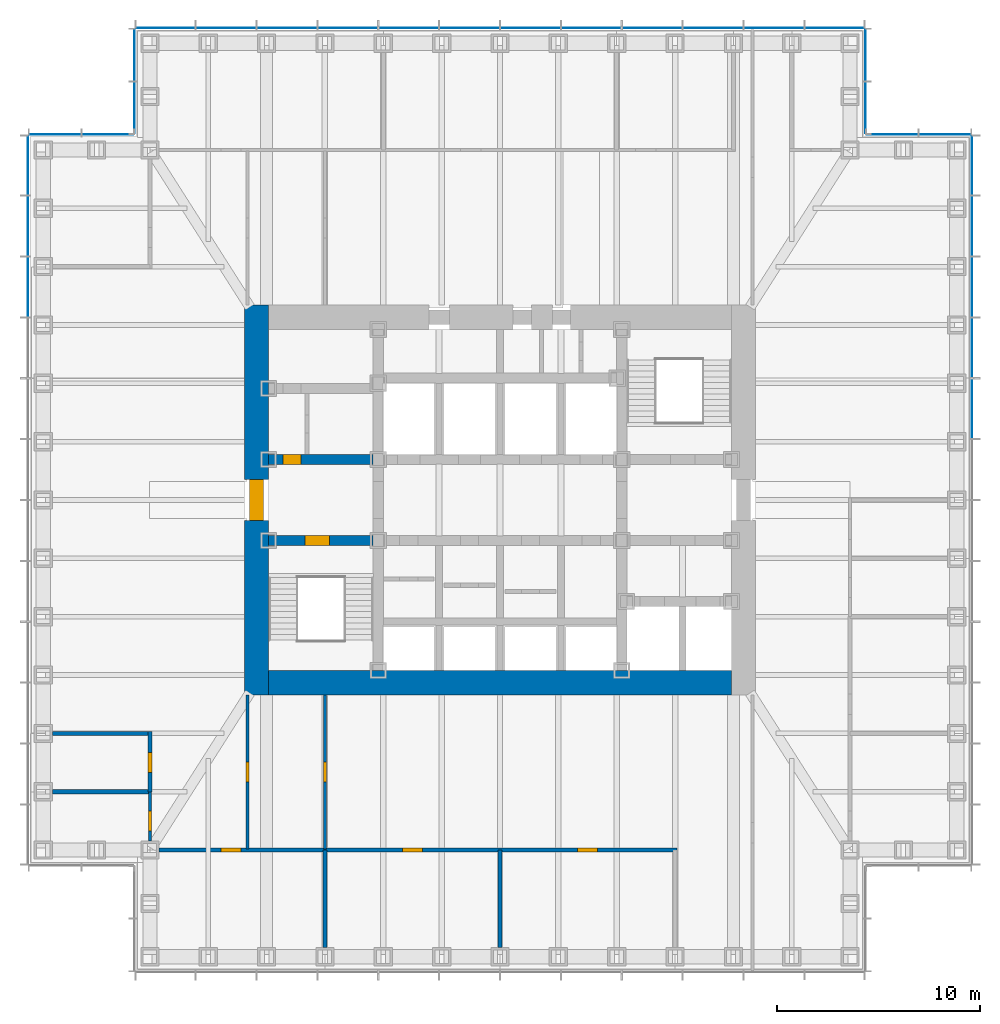
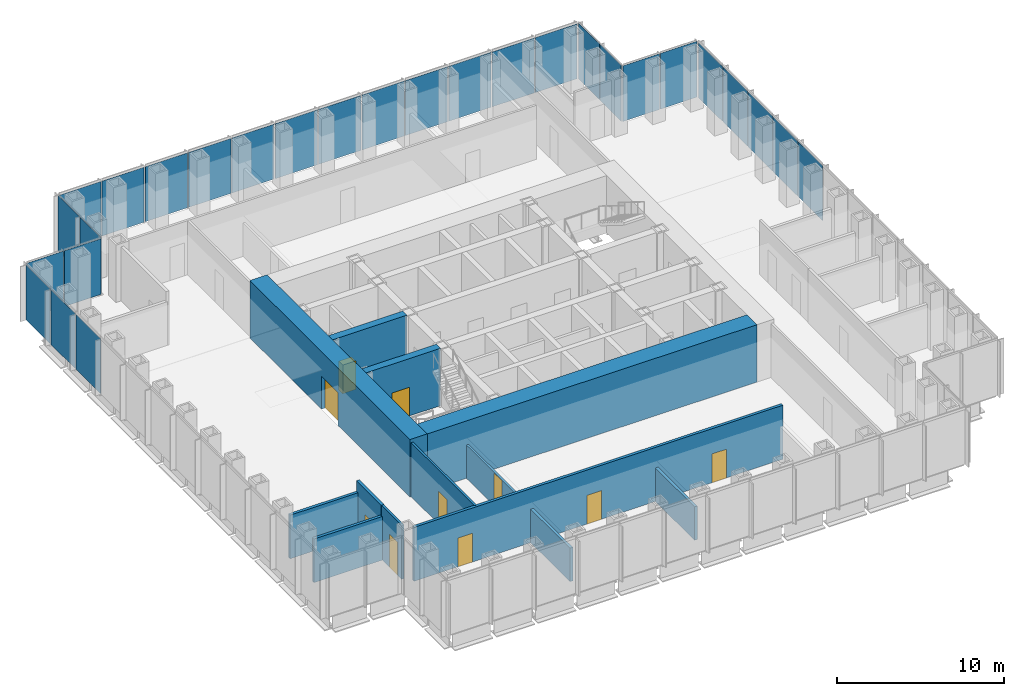
# One storey, part 8 of 17: 28 plates, 13 walls, 10 doors, 10 openings, 7 elements without a shape of their own.
"""IFC4 building model written with IfcOpenShell, lengths in metres."""

from ifc_helpers import new_model, si_unit, direction, frame, frame_2d, origin, origin_2d, place, context, subcontext, project, spatial, rectangle, extrude, material, layer, layer_set, type_object, element, fill, aggregate, save


model = new_model("IFC4")

# Units and contexts
model_context = context("Model", 3, precision=1e-05, world=origin(), true_north=direction((0.0, 1.0)))
body_context = subcontext(model_context, "Body", "Model", "MODEL_VIEW")
ifc_project = project(units=[si_unit("LENGTHUNIT", "METRE"), si_unit("AREAUNIT", "SQUARE_METRE"), si_unit("VOLUMEUNIT", "CUBIC_METRE"), si_unit("PLANEANGLEUNIT", "RADIAN"), si_unit("MASSUNIT", "GRAM", prefix="KILO")], contexts=[model_context])

# Site, building, storey
site_placement = place(None, origin())
site = spatial("IfcSite", under=ifc_project, at=site_placement, CompositionType="ELEMENT")
building_placement = place(site_placement, origin())
building = spatial("IfcBuilding", under=site, at=building_placement, Name="Daluyong Arena Tower", CompositionType="ELEMENT")
storey_placement = place(building_placement, frame((0.0, 0.0, 171.10009765625)))
storey = spatial("IfcBuildingStorey", under=building, at=storey_placement, Name="L38", CompositionType="ELEMENT", Elevation=171.10009765625)

# Curtain wall, plates
ifc_material_1 = material(Name="Bronze anodised aluminium and glass", Category="aluminium")
curtain_wall_type_1 = type_object("IfcCurtainWallType", Name="Curtain wall CW2", PredefinedType="USERDEFINED", material=ifc_material_1)
curtain_wall_1_placement = place(storey_placement, origin())
curtain_wall_1 = element("IfcCurtainWall", 1, at=curtain_wall_1_placement, inside=storey, type_object=curtain_wall_type_1, Name="curtain wall L38 E", ObjectType="UNITISED CURTAIN WALL", PredefinedType="USERDEFINED")
ifc_material_2 = material(Name="Tinted double glazed unit", Category="glass")
ifc_layer_1 = layer(ifc_material_2, 0.031982421875)
ifc_layer_set_1 = layer_set([ifc_layer_1], Name="Tinted double glazed unit")
plate_type_1 = type_object("IfcPlateType", Name="CW2 panel 32", PredefinedType="CURTAIN_PANEL", material=ifc_layer_set_1)
plate_1_placement = place(storey_placement, frame((79.25, 84.5, 0.0), z_axis=(0.0, 0.0, 1.0), x_axis=(0.0, 1.0, 0.0)))
plate_1 = element("IfcPlate", 2, at=plate_1_placement, type_object=plate_type_1, Name="curtain wall L38 E panel 8", PredefinedType="CURTAIN_PANEL", context=body_context, shape_type="SweptSolid", body=[
    extrude(rectangle(XDim=2.919921875, YDim=0.031982421875, at=origin_2d()), origin(), (0.0, 0.0, 1.0), 4.02001953125),
])
plate_2_placement = place(storey_placement, frame((79.25, 87.5, 0.0), z_axis=(0.0, 0.0, 1.0), x_axis=(0.0, 1.0, 0.0)))
plate_2 = element("IfcPlate", 3, at=plate_2_placement, type_object=plate_type_1, Name="curtain wall L38 E panel 9", PredefinedType="CURTAIN_PANEL", context=body_context, shape_type="SweptSolid", body=[
    extrude(rectangle(XDim=2.919921875, YDim=0.031982421875, at=origin_2d()), origin(), (0.0, 0.0, 1.0), 4.02001953125),
])
plate_3_placement = place(storey_placement, frame((79.25, 90.5, 0.0), z_axis=(0.0, 0.0, 1.0), x_axis=(0.0, 1.0, 0.0)))
plate_3 = element("IfcPlate", 4, at=plate_3_placement, type_object=plate_type_1, Name="curtain wall L38 E panel 10", PredefinedType="CURTAIN_PANEL", context=body_context, shape_type="SweptSolid", body=[
    extrude(rectangle(XDim=2.919921875, YDim=0.031982421875, at=origin_2d()), origin(), (0.0, 0.0, 1.0), 4.02001953125),
])
plate_4_placement = place(storey_placement, frame((79.25, 93.5, 0.0), z_axis=(0.0, 0.0, 1.0), x_axis=(0.0, 1.0, 0.0)))
plate_4 = element("IfcPlate", 5, at=plate_4_placement, type_object=plate_type_1, Name="curtain wall L38 E panel 11", PredefinedType="CURTAIN_PANEL", context=body_context, shape_type="SweptSolid", body=[
    extrude(rectangle(XDim=2.919921875, YDim=0.031982421875, at=origin_2d()), origin(), (0.0, 0.0, 1.0), 4.02001953125),
])
plate_5_placement = place(storey_placement, frame((79.25, 96.47998046875, 0.0), z_axis=(0.0, 0.0, 1.0), x_axis=(0.0, 1.0, 0.0)))
plate_5 = element("IfcPlate", 6, at=plate_5_placement, type_object=plate_type_1, Name="curtain wall L38 E panel 12", PredefinedType="CURTAIN_PANEL", context=body_context, shape_type="SweptSolid", body=[
    extrude(rectangle(XDim=2.8798828125, YDim=0.031982421875, at=origin_2d()), origin(), (0.0, 0.0, 1.0), 4.02001953125),
])
aggregate(curtain_wall_1, [plate_1, plate_2, plate_3, plate_4, plate_5])

curtain_wall_2_placement = place(storey_placement, origin())
curtain_wall_2 = element("IfcCurtainWall", 7, at=curtain_wall_2_placement, inside=storey, type_object=curtain_wall_type_1, Name="curtain wall L38 N", ObjectType="UNITISED CURTAIN WALL", PredefinedType="USERDEFINED")
plate_6_placement = place(storey_placement, frame((72.47998046875, 103.25, 0.0), z_axis=(0.0, 0.0, 1.0), x_axis=(-1.0, 0.0, 0.0)))
plate_6 = element("IfcPlate", 8, at=plate_6_placement, type_object=plate_type_1, Name="curtain wall L38 N panel 1", PredefinedType="CURTAIN_PANEL", context=body_context, shape_type="SweptSolid", body=[
    extrude(rectangle(XDim=2.8798828125, YDim=0.031982421875, at=origin_2d()), origin(), (0.0, 0.0, 1.0), 4.02001953125),
])
plate_7_placement = place(storey_placement, frame((69.5, 103.25, 0.0), z_axis=(0.0, 0.0, 1.0), x_axis=(-1.0, 0.0, 0.0)))
plate_7 = element("IfcPlate", 9, at=plate_7_placement, type_object=plate_type_1, Name="curtain wall L38 N panel 2", PredefinedType="CURTAIN_PANEL", context=body_context, shape_type="SweptSolid", body=[
    extrude(rectangle(XDim=2.919921875, YDim=0.031982421875, at=origin_2d()), origin(), (0.0, 0.0, 1.0), 4.02001953125),
])
plate_8_placement = place(storey_placement, frame((66.5, 103.25, 0.0), z_axis=(0.0, 0.0, 1.0), x_axis=(-1.0, 0.0, 0.0)))
plate_8 = element("IfcPlate", 10, at=plate_8_placement, type_object=plate_type_1, Name="curtain wall L38 N panel 3", PredefinedType="CURTAIN_PANEL", context=body_context, shape_type="SweptSolid", body=[
    extrude(rectangle(XDim=2.919921875, YDim=0.031982421875, at=origin_2d()), origin(), (0.0, 0.0, 1.0), 4.02001953125),
])
plate_9_placement = place(storey_placement, frame((63.5, 103.25, 0.0), z_axis=(0.0, 0.0, 1.0), x_axis=(-1.0, 0.0, 0.0)))
plate_9 = element("IfcPlate", 11, at=plate_9_placement, type_object=plate_type_1, Name="curtain wall L38 N panel 4", PredefinedType="CURTAIN_PANEL", context=body_context, shape_type="SweptSolid", body=[
    extrude(rectangle(XDim=2.919921875, YDim=0.031982421875, at=origin_2d()), origin(), (0.0, 0.0, 1.0), 4.02001953125),
])
plate_10_placement = place(storey_placement, frame((60.5, 103.25, 0.0), z_axis=(0.0, 0.0, 1.0), x_axis=(-1.0, 0.0, 0.0)))
plate_10 = element("IfcPlate", 12, at=plate_10_placement, type_object=plate_type_1, Name="curtain wall L38 N panel 5", PredefinedType="CURTAIN_PANEL", context=body_context, shape_type="SweptSolid", body=[
    extrude(rectangle(XDim=2.919921875, YDim=0.031982421875, at=origin_2d()), origin(), (0.0, 0.0, 1.0), 4.02001953125),
])
plate_11_placement = place(storey_placement, frame((57.5, 103.25, 0.0), z_axis=(0.0, 0.0, 1.0), x_axis=(-1.0, 0.0, 0.0)))
plate_11 = element("IfcPlate", 13, at=plate_11_placement, type_object=plate_type_1, Name="curtain wall L38 N panel 6", PredefinedType="CURTAIN_PANEL", context=body_context, shape_type="SweptSolid", body=[
    extrude(rectangle(XDim=2.919921875, YDim=0.031982421875, at=origin_2d()), origin(), (0.0, 0.0, 1.0), 4.02001953125),
])
plate_12_placement = place(storey_placement, frame((54.5, 103.25, 0.0), z_axis=(0.0, 0.0, 1.0), x_axis=(-1.0, 0.0, 0.0)))
plate_12 = element("IfcPlate", 14, at=plate_12_placement, type_object=plate_type_1, Name="curtain wall L38 N panel 7", PredefinedType="CURTAIN_PANEL", context=body_context, shape_type="SweptSolid", body=[
    extrude(rectangle(XDim=2.919921875, YDim=0.031982421875, at=origin_2d()), origin(), (0.0, 0.0, 1.0), 4.02001953125),
])
plate_13_placement = place(storey_placement, frame((51.5, 103.25, 0.0), z_axis=(0.0, 0.0, 1.0), x_axis=(-1.0, 0.0, 0.0)))
plate_13 = element("IfcPlate", 15, at=plate_13_placement, type_object=plate_type_1, Name="curtain wall L38 N panel 8", PredefinedType="CURTAIN_PANEL", context=body_context, shape_type="SweptSolid", body=[
    extrude(rectangle(XDim=2.919921875, YDim=0.031982421875, at=origin_2d()), origin(), (0.0, 0.0, 1.0), 4.02001953125),
])
plate_14_placement = place(storey_placement, frame((48.5, 103.25, 0.0), z_axis=(0.0, 0.0, 1.0), x_axis=(-1.0, 0.0, 0.0)))
plate_14 = element("IfcPlate", 16, at=plate_14_placement, type_object=plate_type_1, Name="curtain wall L38 N panel 9", PredefinedType="CURTAIN_PANEL", context=body_context, shape_type="SweptSolid", body=[
    extrude(rectangle(XDim=2.919921875, YDim=0.031982421875, at=origin_2d()), origin(), (0.0, 0.0, 1.0), 4.02001953125),
])
plate_15_placement = place(storey_placement, frame((45.5, 103.25, 0.0), z_axis=(0.0, 0.0, 1.0), x_axis=(-1.0, 0.0, 0.0)))
plate_15 = element("IfcPlate", 17, at=plate_15_placement, type_object=plate_type_1, Name="curtain wall L38 N panel 10", PredefinedType="CURTAIN_PANEL", context=body_context, shape_type="SweptSolid", body=[
    extrude(rectangle(XDim=2.919921875, YDim=0.031982421875, at=origin_2d()), origin(), (0.0, 0.0, 1.0), 4.02001953125),
])
plate_16_placement = place(storey_placement, frame((42.5, 103.25, 0.0), z_axis=(0.0, 0.0, 1.0), x_axis=(-1.0, 0.0, 0.0)))
plate_16 = element("IfcPlate", 18, at=plate_16_placement, type_object=plate_type_1, Name="curtain wall L38 N panel 11", PredefinedType="CURTAIN_PANEL", context=body_context, shape_type="SweptSolid", body=[
    extrude(rectangle(XDim=2.919921875, YDim=0.031982421875, at=origin_2d()), origin(), (0.0, 0.0, 1.0), 4.02001953125),
])
plate_17_placement = place(storey_placement, frame((39.52001953125, 103.25, 0.0), z_axis=(0.0, 0.0, 1.0), x_axis=(-1.0, 0.0, 0.0)))
plate_17 = element("IfcPlate", 19, at=plate_17_placement, type_object=plate_type_1, Name="curtain wall L38 N panel 12", PredefinedType="CURTAIN_PANEL", context=body_context, shape_type="SweptSolid", body=[
    extrude(rectangle(XDim=2.8798828125, YDim=0.031982421875, at=origin_2d()), origin(), (0.0, 0.0, 1.0), 4.02001953125),
])
aggregate(curtain_wall_2, [plate_6, plate_7, plate_8, plate_9, plate_10, plate_11, plate_12, plate_13, plate_14, plate_15, plate_16, plate_17])

curtain_wall_3_placement = place(storey_placement, origin())
curtain_wall_3 = element("IfcCurtainWall", 20, at=curtain_wall_3_placement, inside=storey, type_object=curtain_wall_type_1, Name="curtain wall L38 W", ObjectType="UNITISED CURTAIN WALL", PredefinedType="USERDEFINED")
plate_18_placement = place(storey_placement, frame((32.75, 96.47998046875, 0.0), z_axis=(0.0, 0.0, 1.0), x_axis=(0.0, -1.0, 0.0)))
plate_18 = element("IfcPlate", 21, at=plate_18_placement, type_object=plate_type_1, Name="curtain wall L38 W panel 1", PredefinedType="CURTAIN_PANEL", context=body_context, shape_type="SweptSolid", body=[
    extrude(rectangle(XDim=2.8798828125, YDim=0.031982421875, at=origin_2d()), origin(), (0.0, 0.0, 1.0), 4.02001953125),
])
plate_19_placement = place(storey_placement, frame((32.75, 93.5, 0.0), z_axis=(0.0, 0.0, 1.0), x_axis=(0.0, -1.0, 0.0)))
plate_19 = element("IfcPlate", 22, at=plate_19_placement, type_object=plate_type_1, Name="curtain wall L38 W panel 2", PredefinedType="CURTAIN_PANEL", context=body_context, shape_type="SweptSolid", body=[
    extrude(rectangle(XDim=2.919921875, YDim=0.031982421875, at=origin_2d()), origin(), (0.0, 0.0, 1.0), 4.02001953125),
])
plate_20_placement = place(storey_placement, frame((32.75, 90.5, 0.0), z_axis=(0.0, 0.0, 1.0), x_axis=(0.0, -1.0, 0.0)))
plate_20 = element("IfcPlate", 23, at=plate_20_placement, type_object=plate_type_1, Name="curtain wall L38 W panel 3", PredefinedType="CURTAIN_PANEL", context=body_context, shape_type="SweptSolid", body=[
    extrude(rectangle(XDim=2.919921875, YDim=0.031982421875, at=origin_2d()), origin(), (0.0, 0.0, 1.0), 4.02001953125),
])
aggregate(curtain_wall_3, [plate_18, plate_19, plate_20])

ifc_material_3 = material(Name="Bronze anodised aluminium and glass", Category="aluminium")
curtain_wall_type_2 = type_object("IfcCurtainWallType", Name="Curtain wall CW7", PredefinedType="USERDEFINED", material=ifc_material_3)
curtain_wall_4_placement = place(storey_placement, origin())
curtain_wall_4 = element("IfcCurtainWall", 24, at=curtain_wall_4_placement, inside=storey, type_object=curtain_wall_type_2, Name="curtain wall L38 NE-N", ObjectType="UNITISED CURTAIN WALL", PredefinedType="USERDEFINED")
ifc_material_4 = material(Name="Tinted double glazed unit", Category="glass")
ifc_layer_2 = layer(ifc_material_4, 0.028076171875)
ifc_layer_set_2 = layer_set([ifc_layer_2], Name="Tinted double glazed unit")
plate_type_2 = type_object("IfcPlateType", Name="CW7 panel 28", PredefinedType="CURTAIN_PANEL", material=ifc_layer_set_2)
plate_21_placement = place(storey_placement, frame((77.922607421875, 98.0, -0.000244140625), z_axis=(0.0, 0.0, 1.0), x_axis=(-1.0, 0.0, 0.0)))
plate_21 = element("IfcPlate", 25, at=plate_21_placement, type_object=plate_type_2, Name="curtain wall L38 NE-N panel 1", PredefinedType="CURTAIN_PANEL", context=body_context, shape_type="SweptSolid", body=[
    extrude(rectangle(XDim=2.534912109375, YDim=0.028076171875, at=origin_2d()), origin(), (0.0, 0.0, 1.0), 4.080078125),
])
plate_22_placement = place(storey_placement, frame((75.327392578125, 98.0, -0.000244140625), z_axis=(0.0, 0.0, 1.0), x_axis=(-1.0, 0.0, 0.0)))
plate_22 = element("IfcPlate", 26, at=plate_22_placement, type_object=plate_type_2, Name="curtain wall L38 NE-N panel 2", PredefinedType="CURTAIN_PANEL", context=body_context, shape_type="SweptSolid", body=[
    extrude(rectangle(XDim=2.534912109375, YDim=0.028076171875, at=origin_2d()), origin(), (0.0, 0.0, 1.0), 4.080078125),
])
aggregate(curtain_wall_4, [plate_21, plate_22])

curtain_wall_5_placement = place(storey_placement, origin())
curtain_wall_5 = element("IfcCurtainWall", 27, at=curtain_wall_5_placement, inside=storey, type_object=curtain_wall_type_2, Name="curtain wall L38 NE-E", ObjectType="UNITISED CURTAIN WALL", PredefinedType="USERDEFINED")
plate_23_placement = place(storey_placement, frame((74.0, 99.327392578125, -0.000244140625), z_axis=(0.0, 0.0, 1.0), x_axis=(0.0, 1.0, 0.0)))
plate_23 = element("IfcPlate", 28, at=plate_23_placement, type_object=plate_type_2, Name="curtain wall L38 NE-E panel 1", PredefinedType="CURTAIN_PANEL", context=body_context, shape_type="SweptSolid", body=[
    extrude(rectangle(XDim=2.534912109375, YDim=0.028076171875, at=origin_2d()), origin(), (0.0, 0.0, 1.0), 4.080078125),
])
plate_24_placement = place(storey_placement, frame((74.0, 101.922607421875, -0.000244140625), z_axis=(0.0, 0.0, 1.0), x_axis=(0.0, 1.0, 0.0)))
plate_24 = element("IfcPlate", 29, at=plate_24_placement, type_object=plate_type_2, Name="curtain wall L38 NE-E panel 2", PredefinedType="CURTAIN_PANEL", context=body_context, shape_type="SweptSolid", body=[
    extrude(rectangle(XDim=2.534912109375, YDim=0.028076171875, at=origin_2d()), origin(), (0.0, 0.0, 1.0), 4.080078125),
])
aggregate(curtain_wall_5, [plate_23, plate_24])

curtain_wall_6_placement = place(storey_placement, origin())
curtain_wall_6 = element("IfcCurtainWall", 30, at=curtain_wall_6_placement, inside=storey, type_object=curtain_wall_type_2, Name="curtain wall L38 NW-W", ObjectType="UNITISED CURTAIN WALL", PredefinedType="USERDEFINED")
plate_25_placement = place(storey_placement, frame((38.0, 101.922607421875, -0.000244140625), z_axis=(0.0, 0.0, 1.0), x_axis=(0.0, -1.0, 0.0)))
plate_25 = element("IfcPlate", 31, at=plate_25_placement, type_object=plate_type_2, Name="curtain wall L38 NW-W panel 1", PredefinedType="CURTAIN_PANEL", context=body_context, shape_type="SweptSolid", body=[
    extrude(rectangle(XDim=2.534912109375, YDim=0.028076171875, at=origin_2d()), origin(), (0.0, 0.0, 1.0), 4.080078125),
])
plate_26_placement = place(storey_placement, frame((38.0, 99.327392578125, -0.000244140625), z_axis=(0.0, 0.0, 1.0), x_axis=(0.0, -1.0, 0.0)))
plate_26 = element("IfcPlate", 32, at=plate_26_placement, type_object=plate_type_2, Name="curtain wall L38 NW-W panel 2", PredefinedType="CURTAIN_PANEL", context=body_context, shape_type="SweptSolid", body=[
    extrude(rectangle(XDim=2.534912109375, YDim=0.028076171875, at=origin_2d()), origin(), (0.0, 0.0, 1.0), 4.080078125),
])
aggregate(curtain_wall_6, [plate_25, plate_26])

curtain_wall_7_placement = place(storey_placement, origin())
curtain_wall_7 = element("IfcCurtainWall", 33, at=curtain_wall_7_placement, inside=storey, type_object=curtain_wall_type_2, Name="curtain wall L38 NW-N", ObjectType="UNITISED CURTAIN WALL", PredefinedType="USERDEFINED")
plate_27_placement = place(storey_placement, frame((36.672607421875, 98.0, -0.000244140625), z_axis=(0.0, 0.0, 1.0), x_axis=(-1.0, 0.0, 0.0)))
plate_27 = element("IfcPlate", 34, at=plate_27_placement, type_object=plate_type_2, Name="curtain wall L38 NW-N panel 1", PredefinedType="CURTAIN_PANEL", context=body_context, shape_type="SweptSolid", body=[
    extrude(rectangle(XDim=2.534912109375, YDim=0.028076171875, at=origin_2d()), origin(), (0.0, 0.0, 1.0), 4.080078125),
])
plate_28_placement = place(storey_placement, frame((34.077392578125, 98.0, -0.000244140625), z_axis=(0.0, 0.0, 1.0), x_axis=(-1.0, 0.0, 0.0)))
plate_28 = element("IfcPlate", 35, at=plate_28_placement, type_object=plate_type_2, Name="curtain wall L38 NW-N panel 2", PredefinedType="CURTAIN_PANEL", context=body_context, shape_type="SweptSolid", body=[
    extrude(rectangle(XDim=2.534912109375, YDim=0.028076171875, at=origin_2d()), origin(), (0.0, 0.0, 1.0), 4.080078125),
])
aggregate(curtain_wall_7, [plate_27, plate_28])

# Wall, opening, door
ifc_material_5 = material(Name="Concrete fc' 45 MPa", Category="concrete")
ifc_layer_3 = layer(ifc_material_5, 0.5)
ifc_layer_set_3 = layer_set([ifc_layer_3], Name="Concrete fc' 45 MPa")
wall_type_1 = type_object("IfcWallType", Name="Core inner wall 500", PredefinedType="SHEAR", material=ifc_layer_set_3)
wall_1_placement = place(storey_placement, frame((44.60009765625, 78.0, 0.0), z_axis=(0.0, 0.0, 1.0), x_axis=(1.0, 0.0, 0.0)))
wall_1 = element("IfcWall", 36, at=wall_1_placement, inside=storey, type_object=wall_type_1, Name="core inner wall at L38", PredefinedType="SHEAR", context=body_context, shape_type="SweptSolid", body=[
    extrude(rectangle(XDim=5.14990234375, YDim=0.5, at=frame_2d((2.574951171875, 0.0))), origin(), (0.0, 0.0, 1.0), 4.199951171875),
])
opening_1_placement = place(wall_1_placement, frame((1.800048828125, 0.0, 0.0)))
opening_1 = element("IfcOpeningElement", 37, at=opening_1_placement, cuts=wall_1, Name="Opening 38015", PredefinedType="OPENING", context=body_context, shape_type="SweptSolid", body=[
    extrude(rectangle(XDim=1.199951171875, YDim=2.10009765625, at=frame_2d((0.60009765625, 1.050048828125))), frame((0.0, 0.260009765625, 0.0), z_axis=(0.0, -1.0, 0.0), x_axis=(1.0, 0.0, 0.0)), (0.0, 0.0, 1.0), 0.52001953125),
])
ifc_material_6 = material(Name="Steel door, fire rated", Category="steel")
door_type_1 = type_object("IfcDoorType", Name="Stair door 1200", OperationType="SINGLE_SWING_LEFT", PredefinedType="DOOR", material=ifc_material_6)
door_1_placement = place(opening_1_placement, origin())
door_1 = element("IfcDoor", 38, at=door_1_placement, inside=storey, type_object=door_type_1, Name="stair A door 38015", OperationType="SINGLE_SWING_LEFT", OverallHeight=2.10009765625, OverallWidth=1.199951171875, PredefinedType="DOOR", context=body_context, shape_type="SweptSolid", body=[
    extrude(rectangle(XDim=1.199951171875, YDim=2.10009765625, at=frame_2d((0.60009765625, 1.050048828125))), frame((0.0, 0.249755859375, 0.0), z_axis=(0.0, -1.0, 0.0), x_axis=(1.0, 0.0, 0.0)), (0.0, 0.0, 1.0), 0.49951171875),
])
fill(opening_1, door_1)

wall_2_placement = place(storey_placement, frame((44.60009765625, 82.0, 0.0), z_axis=(0.0, 0.0, 1.0), x_axis=(1.0, 0.0, 0.0)))
wall_2 = element("IfcWall", 39, at=wall_2_placement, inside=storey, type_object=wall_type_1, Name="core inner wall at L38", PredefinedType="SHEAR", context=body_context, shape_type="SweptSolid", body=[
    extrude(rectangle(XDim=5.14990234375, YDim=0.5, at=frame_2d((2.574951171875, 0.0))), origin(), (0.0, 0.0, 1.0), 4.199951171875),
])
opening_2_placement = place(wall_2_placement, frame((0.699951171875, 0.0, 0.0)))
opening_2 = element("IfcOpeningElement", 40, at=opening_2_placement, cuts=wall_2, Name="Opening 38001", PredefinedType="OPENING", context=body_context, shape_type="SweptSolid", body=[
    extrude(rectangle(XDim=0.89990234375, YDim=2.10009765625, at=frame_2d((0.449951171875, 1.050048828125))), frame((0.0, 0.260009765625, 0.0), z_axis=(0.0, -1.0, 0.0), x_axis=(1.0, 0.0, 0.0)), (0.0, 0.0, 1.0), 0.52001953125),
])
ifc_material_7 = material(Name="Steel door, fire rated", Category="steel")
door_type_2 = type_object("IfcDoorType", Name="Core room door 900", OperationType="SINGLE_SWING_LEFT", PredefinedType="DOOR", material=ifc_material_7)
door_2_placement = place(opening_2_placement, origin())
door_2 = element("IfcDoor", 41, at=door_2_placement, inside=storey, type_object=door_type_2, Name="toilet lobby door 38001", OperationType="SINGLE_SWING_LEFT", OverallHeight=2.10009765625, OverallWidth=0.89990234375, PredefinedType="DOOR", context=body_context, shape_type="SweptSolid", body=[
    extrude(rectangle(XDim=0.89990234375, YDim=2.10009765625, at=frame_2d((0.449951171875, 1.050048828125))), frame((0.0, 0.249755859375, 0.0), z_axis=(0.0, -1.0, 0.0), x_axis=(1.0, 0.0, 0.0)), (0.0, 0.0, 1.0), 0.49951171875),
])
fill(opening_2, door_2)

ifc_material_8 = material(Name="Concrete fc' 60 MPa", Category="concrete")
ifc_layer_4 = layer(ifc_material_8, 1.199951171875)
ifc_layer_set_4 = layer_set([ifc_layer_4], Name="Concrete fc' 60 MPa")
wall_type_2 = type_object("IfcWallType", Name="Core wall 1200", PredefinedType="SHEAR", material=ifc_layer_set_4)
wall_3_placement = place(storey_placement, frame((44.0, 70.39990234375, 0.0), z_axis=(0.0, 0.0, 1.0), x_axis=(0.0, 1.0, 0.0)))
wall_3 = element("IfcWall", 42, at=wall_3_placement, inside=storey, type_object=wall_type_2, Name="core wall at L38", PredefinedType="SHEAR", context=body_context, shape_type="SweptSolid", body=[
    extrude(rectangle(XDim=19.2001953125, YDim=1.199951171875, at=frame_2d((9.60009765625, 0.0))), origin(), (0.0, 0.0, 1.0), 4.199951171875),
])
opening_3_placement = place(wall_3_placement, frame((8.60009765625, 0.0, 0.0)))
opening_3 = element("IfcOpeningElement", 43, at=opening_3_placement, cuts=wall_3, Name="Opening 38017", PredefinedType="OPENING", context=body_context, shape_type="SweptSolid", body=[
    extrude(rectangle(XDim=2.0, YDim=2.39990234375, at=frame_2d((1.0, 1.199951171875))), frame((0.0, 0.60986328125, 0.0), z_axis=(0.0, -1.0, 0.0), x_axis=(1.0, 0.0, 0.0)), (0.0, 0.0, 1.0), 1.219970703125),
])
ifc_material_9 = material(Name="Steel door, fire rated", Category="steel")
door_type_3 = type_object("IfcDoorType", Name="Core lobby double door 2000", OperationType="DOUBLE_DOOR_SINGLE_SWING", PredefinedType="DOOR", material=ifc_material_9)
door_3_placement = place(opening_3_placement, origin())
door_3 = element("IfcDoor", 44, at=door_3_placement, inside=storey, type_object=door_type_3, Name="core lobby door west 38017", OperationType="DOUBLE_DOOR_SINGLE_SWING", OverallHeight=2.39990234375, OverallWidth=2.0, PredefinedType="DOOR", context=body_context, shape_type="SweptSolid", body=[
    extrude(rectangle(XDim=2.0, YDim=2.39990234375, at=frame_2d((1.0, 1.199951171875))), frame((0.0, 0.35009765625, 0.0), z_axis=(0.0, -1.0, 0.0), x_axis=(1.0, 0.0, 0.0)), (0.0, 0.0, 1.0), 0.699951171875),
])
fill(opening_3, door_3)

# Wall
wall_4_placement = place(storey_placement, frame((44.60009765625, 71.0, 0.0), z_axis=(0.0, 0.0, 1.0), x_axis=(1.0, 0.0, 0.0)))
element("IfcWall", 45, at=wall_4_placement, inside=storey, type_object=wall_type_2, Name="core wall at L38", PredefinedType="SHEAR", context=body_context, shape_type="SweptSolid", body=[
    extrude(rectangle(XDim=22.7998046875, YDim=1.199951171875, at=frame_2d((11.39990234375, 0.0))), origin(), (0.0, 0.0, 1.0), 4.199951171875),
])

# Wall, opening, door
ifc_material_10 = material(Name="Glazed aluminium partition", Category="aluminium")
ifc_layer_5 = layer(ifc_material_10, 0.14990234375)
ifc_layer_set_5 = layer_set([ifc_layer_5], Name="Glazed aluminium partition")
wall_type_3 = type_object("IfcWallType", Name="Glazed partition 150", PredefinedType="PARTITIONING", material=ifc_layer_set_5)
wall_5_placement = place(storey_placement, frame((38.75, 63.199951171875, 0.0), z_axis=(0.0, 0.0, 1.0), x_axis=(0.0, 1.0, 0.0)))
wall_5 = element("IfcWall", 46, at=wall_5_placement, inside=storey, type_object=wall_type_3, Name="glazed partition at L38", PredefinedType="PARTITIONING", context=body_context, shape_type="SweptSolid", body=[
    extrude(rectangle(XDim=2.425048828125, YDim=0.14990234375, at=frame_2d((1.21240234375, 0.0))), origin(), (0.0, 0.0, 1.0), 3.949951171875),
])
opening_4_placement = place(wall_5_placement, frame((0.487548828125, 0.0, 0.0)))
opening_4 = element("IfcOpeningElement", 47, at=opening_4_placement, cuts=wall_5, Name="Opening 38039", PredefinedType="OPENING", context=body_context, shape_type="SweptSolid", body=[
    extrude(rectangle(XDim=1.0, YDim=2.39990234375, at=frame_2d((0.5, 1.199951171875))), frame((0.0, 0.0849609375, 0.0), z_axis=(0.0, -1.0, 0.0), x_axis=(1.0, 0.0, 0.0)), (0.0, 0.0, 1.0), 0.169921875),
])
ifc_material_11 = material(Name="Glazed aluminium door", Category="aluminium")
door_type_4 = type_object("IfcDoorType", Name="Meeting room glazed door 1000", OperationType="SINGLE_SWING_RIGHT", PredefinedType="DOOR", material=ifc_material_11)
door_4_placement = place(opening_4_placement, origin())
door_4 = element("IfcDoor", 48, at=door_4_placement, inside=storey, type_object=door_type_4, Name="focus room door 38039", OperationType="SINGLE_SWING_RIGHT", OverallHeight=2.39990234375, OverallWidth=1.0, PredefinedType="DOOR", context=body_context, shape_type="SweptSolid", body=[
    extrude(rectangle(XDim=1.0, YDim=2.39990234375, at=frame_2d((0.5, 1.199951171875))), frame((0.0, 0.07470703125, 0.0), z_axis=(0.0, -1.0, 0.0), x_axis=(1.0, 0.0, 0.0)), (0.0, 0.0, 1.0), 0.1494140625),
])
fill(opening_4, door_4)

wall_6_placement = place(storey_placement, frame((43.550048828125, 62.800048828125, 0.0), z_axis=(0.0, 0.0, 1.0), x_axis=(0.0, 1.0, 0.0)))
wall_6 = element("IfcWall", 49, at=wall_6_placement, inside=storey, type_object=wall_type_3, Name="glazed partition at L38", PredefinedType="PARTITIONING", context=body_context, shape_type="SweptSolid", body=[
    extrude(rectangle(XDim=7.599853515625, YDim=0.14990234375, at=frame_2d((3.7998046875, 0.0))), origin(), (0.0, 0.0, 1.0), 3.949951171875),
])
opening_5_placement = place(wall_6_placement, frame((3.300048828125, 0.0, 0.0)))
opening_5 = element("IfcOpeningElement", 50, at=opening_5_placement, cuts=wall_6, Name="Opening 38042", PredefinedType="OPENING", context=body_context, shape_type="SweptSolid", body=[
    extrude(rectangle(XDim=1.0, YDim=2.39990234375, at=frame_2d((0.5, 1.199951171875))), frame((0.0, 0.0849609375, 0.0), z_axis=(0.0, -1.0, 0.0), x_axis=(1.0, 0.0, 0.0)), (0.0, 0.0, 1.0), 0.169921875),
])
door_5_placement = place(opening_5_placement, origin())
door_5 = element("IfcDoor", 51, at=door_5_placement, inside=storey, type_object=door_type_4, Name="team area screen door 38042", OperationType="SINGLE_SWING_RIGHT", OverallHeight=2.39990234375, OverallWidth=1.0, PredefinedType="DOOR", context=body_context, shape_type="SweptSolid", body=[
    extrude(rectangle(XDim=1.0, YDim=2.39990234375, at=frame_2d((0.5, 1.199951171875))), frame((0.0, 0.07470703125, 0.0), z_axis=(0.0, -1.0, 0.0), x_axis=(1.0, 0.0, 0.0)), (0.0, 0.0, 1.0), 0.1494140625),
])
fill(opening_5, door_5)

wall_7_placement = place(storey_placement, frame((47.375, 62.800048828125, 0.0), z_axis=(0.0, 0.0, 1.0), x_axis=(0.0, 1.0, 0.0)))
wall_7 = element("IfcWall", 52, at=wall_7_placement, inside=storey, type_object=wall_type_3, Name="glazed partition at L38", PredefinedType="PARTITIONING", context=body_context, shape_type="SweptSolid", body=[
    extrude(rectangle(XDim=7.599853515625, YDim=0.14990234375, at=frame_2d((3.7998046875, 0.0))), origin(), (0.0, 0.0, 1.0), 2.449951171875),
])
opening_6_placement = place(wall_7_placement, frame((3.300048828125, 0.0, 0.0)))
opening_6 = element("IfcOpeningElement", 53, at=opening_6_placement, cuts=wall_7, Name="Opening 38046", PredefinedType="OPENING", context=body_context, shape_type="SweptSolid", body=[
    extrude(rectangle(XDim=1.0, YDim=2.39990234375, at=frame_2d((0.5, 1.199951171875))), frame((0.0, 0.0849609375, 0.0), z_axis=(0.0, -1.0, 0.0), x_axis=(1.0, 0.0, 0.0)), (0.0, 0.0, 1.0), 0.169921875),
])
door_6_placement = place(opening_6_placement, origin())
door_6 = element("IfcDoor", 54, at=door_6_placement, inside=storey, type_object=door_type_4, Name="team area screen door 38046", OperationType="SINGLE_SWING_RIGHT", OverallHeight=2.39990234375, OverallWidth=1.0, PredefinedType="DOOR", context=body_context, shape_type="SweptSolid", body=[
    extrude(rectangle(XDim=1.0, YDim=2.39990234375, at=frame_2d((0.5, 1.199951171875))), frame((0.0, 0.07470703125, 0.0), z_axis=(0.0, -1.0, 0.0), x_axis=(1.0, 0.0, 0.0)), (0.0, 0.0, 1.0), 0.1494140625),
])
fill(opening_6, door_6)

# Walls
ifc_material_12 = material(Name="Concrete block partition", Category="concrete")
ifc_layer_6 = layer(ifc_material_12, 0.199951171875)
ifc_layer_set_6 = layer_set([ifc_layer_6], Name="Concrete block partition")
wall_type_4 = type_object("IfcWallType", Name="Partition 200", PredefinedType="PARTITIONING", material=ifc_layer_set_6)
for number, where, z_axis, x_axis, name in (
    (55, (47.375, 57.949951171875, 0.0), (0.0, 0.0, 1.0), (0.0, 1.0, 0.0), "partition at L38"),
    (56, (56.0, 57.949951171875, 0.0), (0.0, 0.0, 1.0), (0.0, 1.0, 0.0), "partition at L38"),
):
    element("IfcWall", number, at=place(storey_placement, frame(where, z_axis=z_axis, x_axis=x_axis)), inside=storey, type_object=wall_type_4, Name=name, PredefinedType="PARTITIONING", context=body_context, shape_type="SweptSolid", body=[
        extrude(rectangle(XDim=4.800048828125, YDim=0.199951171875, at=frame_2d((2.39990234375, 0.0))), origin(), (0.0, 0.0, 1.0), 2.449951171875),
    ])
for number, where, z_axis, x_axis, name in (
    (57, (33.949951171875, 65.625, 0.0), (0.0, 0.0, 1.0), (1.0, 0.0, 0.0), "partition at L38"),
    (58, (33.949951171875, 68.5, 0.0), (0.0, 0.0, 1.0), (1.0, 0.0, 0.0), "partition at L38"),
):
    element("IfcWall", number, at=place(storey_placement, frame(where, z_axis=z_axis, x_axis=x_axis)), inside=storey, type_object=wall_type_4, Name=name, PredefinedType="PARTITIONING", context=body_context, shape_type="SweptSolid", body=[
        extrude(rectangle(XDim=4.800048828125, YDim=0.199951171875, at=frame_2d((2.39990234375, 0.0))), origin(), (0.0, 0.0, 1.0), 3.18798828125),
    ])

# Wall, openings, doors
wall_8_placement = place(storey_placement, frame((39.199951171875, 62.75, 0.0), z_axis=(0.0, 0.0, 1.0), x_axis=(1.0, 0.0, 0.0)))
wall_8 = element("IfcWall", 59, at=wall_8_placement, inside=storey, type_object=wall_type_4, Name="partition at L38", PredefinedType="PARTITIONING", context=body_context, shape_type="SweptSolid", body=[
    extrude(rectangle(XDim=25.525146484375, YDim=0.199951171875, at=frame_2d((12.7626953125, 0.0))), origin(), (0.0, 0.0, 1.0), 3.949951171875),
])
opening_7_placement = place(wall_8_placement, frame((3.050048828125, 0.0, 0.0)))
opening_7 = element("IfcOpeningElement", 60, at=opening_7_placement, cuts=wall_8, Name="Opening 38028", PredefinedType="OPENING", context=body_context, shape_type="SweptSolid", body=[
    extrude(rectangle(XDim=1.0, YDim=2.10009765625, at=frame_2d((0.5, 1.050048828125))), frame((0.0, 0.10986328125, 0.0), z_axis=(0.0, -1.0, 0.0), x_axis=(1.0, 0.0, 0.0)), (0.0, 0.0, 1.0), 0.219970703125),
])
opening_8_placement = place(wall_8_placement, frame((11.987548828125, 0.0, 0.0)))
opening_8 = element("IfcOpeningElement", 61, at=opening_8_placement, cuts=wall_8, Name="Opening 38029", PredefinedType="OPENING", context=body_context, shape_type="SweptSolid", body=[
    extrude(rectangle(XDim=1.0, YDim=2.10009765625, at=frame_2d((0.5, 1.050048828125))), frame((0.0, 0.10986328125, 0.0), z_axis=(0.0, -1.0, 0.0), x_axis=(1.0, 0.0, 0.0)), (0.0, 0.0, 1.0), 0.219970703125),
])
opening_9_placement = place(wall_8_placement, frame((20.612548828125, 0.0, 0.0)))
opening_9 = element("IfcOpeningElement", 62, at=opening_9_placement, cuts=wall_8, Name="Opening 38030", PredefinedType="OPENING", context=body_context, shape_type="SweptSolid", body=[
    extrude(rectangle(XDim=1.0, YDim=2.10009765625, at=frame_2d((0.5, 1.050048828125))), frame((0.0, 0.10986328125, 0.0), z_axis=(0.0, -1.0, 0.0), x_axis=(1.0, 0.0, 0.0)), (0.0, 0.0, 1.0), 0.219970703125),
])
ifc_material_13 = material(Name="Timber door", Category="wood")
door_type_5 = type_object("IfcDoorType", Name="Room door 1000", OperationType="SINGLE_SWING_LEFT", PredefinedType="DOOR", material=ifc_material_13)
door_7_placement = place(opening_7_placement, origin())
door_7 = element("IfcDoor", 63, at=door_7_placement, inside=storey, type_object=door_type_5, Name="training room door 38028", OperationType="SINGLE_SWING_LEFT", OverallHeight=2.10009765625, OverallWidth=1.0, PredefinedType="DOOR", context=body_context, shape_type="SweptSolid", body=[
    extrude(rectangle(XDim=1.0, YDim=2.10009765625, at=frame_2d((0.5, 1.050048828125))), frame((0.0, 0.099609375, 0.0), z_axis=(0.0, -1.0, 0.0), x_axis=(1.0, 0.0, 0.0)), (0.0, 0.0, 1.0), 0.199462890625),
])
fill(opening_7, door_7)
door_8_placement = place(opening_8_placement, origin())
door_8 = element("IfcDoor", 64, at=door_8_placement, inside=storey, type_object=door_type_5, Name="training room door 38029", OperationType="SINGLE_SWING_LEFT", OverallHeight=2.10009765625, OverallWidth=1.0, PredefinedType="DOOR", context=body_context, shape_type="SweptSolid", body=[
    extrude(rectangle(XDim=1.0, YDim=2.10009765625, at=frame_2d((0.5, 1.050048828125))), frame((0.0, 0.099609375, 0.0), z_axis=(0.0, -1.0, 0.0), x_axis=(1.0, 0.0, 0.0)), (0.0, 0.0, 1.0), 0.199462890625),
])
fill(opening_8, door_8)
door_9_placement = place(opening_9_placement, origin())
door_9 = element("IfcDoor", 65, at=door_9_placement, inside=storey, type_object=door_type_5, Name="training room door 38030", OperationType="SINGLE_SWING_LEFT", OverallHeight=2.10009765625, OverallWidth=1.0, PredefinedType="DOOR", context=body_context, shape_type="SweptSolid", body=[
    extrude(rectangle(XDim=1.0, YDim=2.10009765625, at=frame_2d((0.5, 1.050048828125))), frame((0.0, 0.099609375, 0.0), z_axis=(0.0, -1.0, 0.0), x_axis=(1.0, 0.0, 0.0)), (0.0, 0.0, 1.0), 0.199462890625),
])
fill(opening_9, door_9)

# Wall, opening, door
wall_9_placement = place(storey_placement, frame((38.75, 65.625, 0.0), z_axis=(0.0, 0.0, 1.0), x_axis=(0.0, 1.0, 0.0)))
wall_9 = element("IfcWall", 66, at=wall_9_placement, inside=storey, type_object=wall_type_4, Name="partition at L38", PredefinedType="PARTITIONING", context=body_context, shape_type="SweptSolid", body=[
    extrude(rectangle(XDim=2.97509765625, YDim=0.199951171875, at=frame_2d((1.487548828125, 0.0))), origin(), (0.0, 0.0, 1.0), 3.949951171875),
])
opening_10_placement = place(wall_9_placement, frame((0.9375, 0.0, 0.0)))
opening_10 = element("IfcOpeningElement", 67, at=opening_10_placement, cuts=wall_9, Name="Opening 38040", PredefinedType="OPENING", context=body_context, shape_type="SweptSolid", body=[
    extrude(rectangle(XDim=1.0, YDim=2.10009765625, at=frame_2d((0.5, 1.050048828125))), frame((0.0, 0.10986328125, 0.0), z_axis=(0.0, -1.0, 0.0), x_axis=(1.0, 0.0, 0.0)), (0.0, 0.0, 1.0), 0.219970703125),
])
door_10_placement = place(opening_10_placement, origin())
door_10 = element("IfcDoor", 68, at=door_10_placement, inside=storey, type_object=door_type_5, Name="lactation room door 38040", OperationType="SINGLE_SWING_LEFT", OverallHeight=2.10009765625, OverallWidth=1.0, PredefinedType="DOOR", context=body_context, shape_type="SweptSolid", body=[
    extrude(rectangle(XDim=1.0, YDim=2.10009765625, at=frame_2d((0.5, 1.050048828125))), frame((0.0, 0.099609375, 0.0), z_axis=(0.0, -1.0, 0.0), x_axis=(1.0, 0.0, 0.0)), (0.0, 0.0, 1.0), 0.199462890625),
])
fill(opening_10, door_10)

save(model, "model.ifc")
